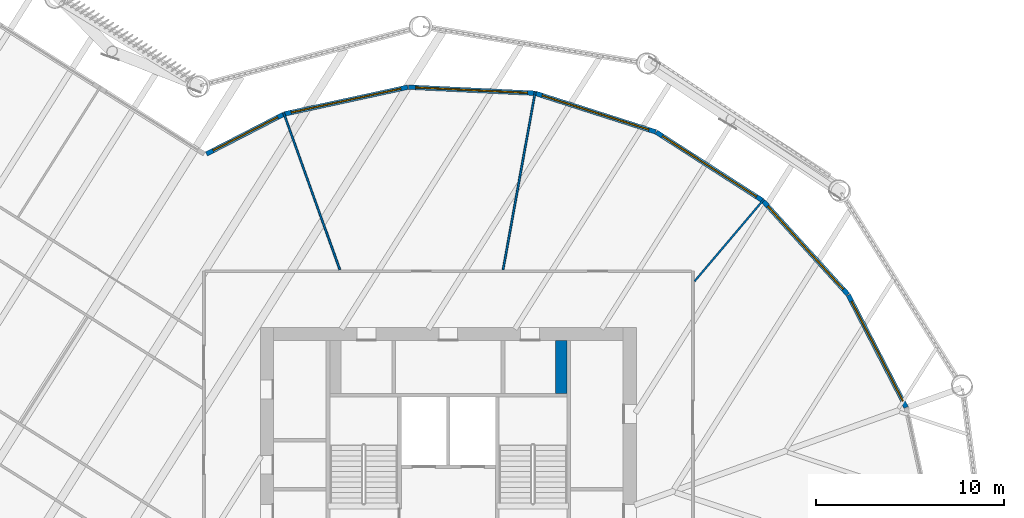
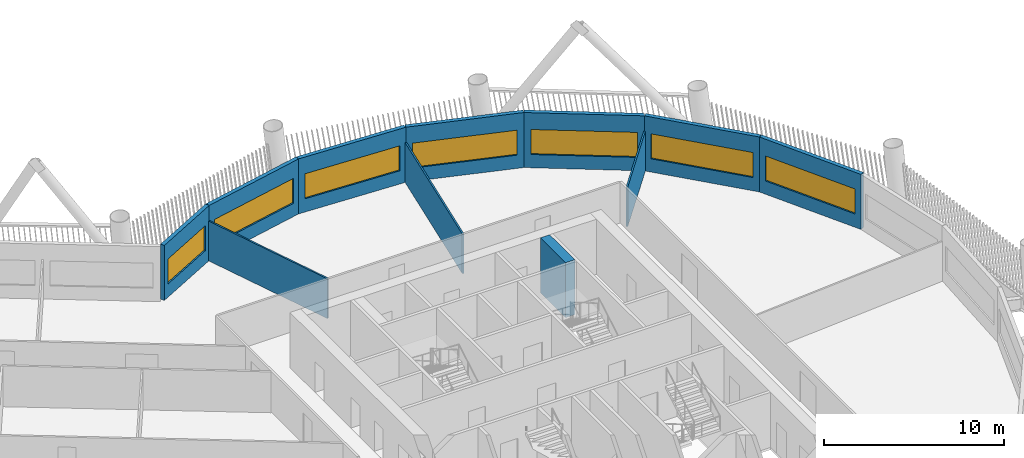
# One storey, part 7 of 22: 11 walls, 7 windows, 7 openings.
"""IFC4 building model written with IfcOpenShell, lengths in metres."""

from ifc_helpers import new_model, si_unit, direction, frame, frame_2d, origin, place, context, subcontext, project, spatial, rectangle, extrude, material, layer, layer_set, type_object, element, fill, save


model = new_model("IFC4")

# Units and contexts
model_context = context("Model", 3, precision=1e-05, world=origin(), true_north=direction((0.0, 1.0)))
body_context = subcontext(model_context, "Body", "Model", "MODEL_VIEW")
ifc_project = project(units=[si_unit("LENGTHUNIT", "METRE"), si_unit("AREAUNIT", "SQUARE_METRE"), si_unit("VOLUMEUNIT", "CUBIC_METRE"), si_unit("PLANEANGLEUNIT", "RADIAN"), si_unit("MASSUNIT", "GRAM", prefix="KILO")], contexts=[model_context])

# Site, building, storey
site_placement = place(None, origin())
site = spatial("IfcSite", under=ifc_project, at=site_placement, CompositionType="ELEMENT")
building_placement = place(site_placement, origin())
building = spatial("IfcBuilding", under=site, at=building_placement, Name="Tarsis Ring Headquarters", CompositionType="ELEMENT")
storey_placement = place(building_placement, frame((0.0, 0.0, 147.60009765625)))
storey = spatial("IfcBuildingStorey", under=building, at=storey_placement, Name="L33", CompositionType="ELEMENT", Elevation=147.60009765625)

# Walls
ifc_material_1 = material(Name="Gypsum board on steel studs", Category="steel")
ifc_layer_1 = layer(ifc_material_1, 0.10009765625)
ifc_layer_set_1 = layer_set([ifc_layer_1], Name="FL partition 100 unrated")
wall_type_1 = type_object("IfcWallType", Name="FL partition 100 unrated", PredefinedType="PARTITIONING", material=ifc_layer_set_1)
wall_1_placement = place(storey_placement, frame((2.90869140625, 16.06884765625, 0.0), z_axis=(0.0, 0.0, 1.0), x_axis=(0.178094615958, 0.984013367677, 0.0)))
element("IfcWall", 1, at=wall_1_placement, inside=storey, type_object=wall_type_1, Name="Partition PW3", PredefinedType="PARTITIONING", context=body_context, shape_type="SweptSolid", body=[
    extrude(rectangle(XDim=9.617919921875, YDim=0.10009765625, at=frame_2d((4.80908203125, 0.0))), origin(), (0.0, 0.0, 1.0), 2.699951171875),
])
wall_2_placement = place(storey_placement, frame((-8.763916015625, 24.423095703125, 0.0), z_axis=(0.0, 0.0, 1.0), x_axis=(0.337732821106, -0.941242020709, 0.0)))
element("IfcWall", 2, at=wall_2_placement, inside=storey, type_object=wall_type_1, Name="Partition PW3", PredefinedType="PARTITIONING", context=body_context, shape_type="SweptSolid", body=[
    extrude(rectangle(XDim=8.869140625, YDim=0.10009765625, at=frame_2d((4.4345703125, 0.0))), origin(), (0.0, 0.0, 1.0), 2.699951171875),
])
wall_3_placement = place(storey_placement, frame((13.090576171875, 15.45751953125, 0.0), z_axis=(0.0, 0.0, 1.0), x_axis=(0.646247903324, 0.763127543369, 0.0)))
element("IfcWall", 3, at=wall_3_placement, inside=storey, type_object=wall_type_1, Name="Partition PW3", PredefinedType="PARTITIONING", context=body_context, shape_type="SweptSolid", body=[
    extrude(rectangle(XDim=5.692138671875, YDim=0.10009765625, at=frame_2d((2.84619140625, 0.0))), origin(), (0.0, 0.0, 1.0), 2.699951171875),
])

# Wall, opening, window
ifc_material_2 = material(Name="Terracotta clad insulated panel wall", Category="masonry")
ifc_layer_2 = layer(ifc_material_2, 0.25)
ifc_layer_set_2 = layer_set([ifc_layer_2], Name="Facade wall terracotta panel 250")
wall_type_2 = type_object("IfcWallType", Name="Facade wall terracotta panel 250", PredefinedType="STANDARD", material=ifc_layer_set_2)
wall_4_placement = place(storey_placement, frame((24.345947265625, 8.753662109375, 0.0), z_axis=(0.0, 0.0, 1.0), x_axis=(-0.457730418722, 0.889091032334, 0.0)))
wall_4 = element("IfcWall", 4, at=wall_4_placement, inside=storey, type_object=wall_type_2, Name="External wall L33-24", PredefinedType="STANDARD", context=body_context, shape_type="SweptSolid", body=[
    extrude(rectangle(XDim=6.721435546875, YDim=0.25, at=frame_2d((3.36083984375, 0.0))), origin(), (0.0, 0.0, 1.0), 3.739990234375),
])
opening_1_placement = place(wall_4_placement, frame((0.3857421875, 0.0, 0.89990234375)))
opening_1 = element("IfcOpeningElement", 5, at=opening_1_placement, cuts=wall_4, Name="Opening WN07", PredefinedType="OPENING", context=body_context, shape_type="SweptSolid", body=[
    extrude(rectangle(XDim=5.949951171875, YDim=1.699951171875, at=frame_2d((2.97509765625, 0.85009765625))), frame((0.0, 0.135009765625, 0.0), z_axis=(0.0, -1.0, 0.0), x_axis=(1.0, 0.0, 0.0)), (0.0, 0.0, 1.0), 0.27001953125),
])
ifc_material_3 = material(Name="Aluminium framed double glazing", Category="aluminium")
window_type_1 = type_object("IfcWindowType", Name="Facade window 5950 x 1700", PartitioningType="SINGLE_PANEL", PredefinedType="WINDOW", material=ifc_material_3)
window_1_placement = place(opening_1_placement, origin())
window_1 = element("IfcWindow", 6, at=window_1_placement, inside=storey, type_object=window_type_1, Name="Window L33-24.1", OverallHeight=1.699951171875, OverallWidth=5.949951171875, PartitioningType="SINGLE_PANEL", PredefinedType="WINDOW", context=body_context, shape_type="SweptSolid", body=[
    extrude(rectangle(XDim=5.949951171875, YDim=1.699951171875, at=frame_2d((2.97509765625, 0.85009765625))), frame((0.0, 0.030029296875, 0.0), z_axis=(0.0, -1.0, 0.0), x_axis=(1.0, 0.0, 0.0)), (0.0, 0.0, 1.0), 0.06005859375),
])
fill(opening_1, window_1)

wall_5_placement = place(storey_placement, frame((21.250732421875, 14.756591796875, 0.0), z_axis=(0.0, 0.0, 1.0), x_axis=(-0.672253253678, 0.740321256563, 0.0)))
wall_5 = element("IfcWall", 7, at=wall_5_placement, inside=storey, type_object=wall_type_2, Name="External wall L33-25", PredefinedType="STANDARD", context=body_context, shape_type="SweptSolid", body=[
    extrude(rectangle(XDim=6.721435546875, YDim=0.25, at=frame_2d((3.36083984375, 0.0))), origin(), (0.0, 0.0, 1.0), 3.739990234375),
])
opening_2_placement = place(wall_5_placement, frame((0.3857421875, 0.0, 0.89990234375)))
opening_2 = element("IfcOpeningElement", 8, at=opening_2_placement, cuts=wall_5, Name="Opening WN07", PredefinedType="OPENING", context=body_context, shape_type="SweptSolid", body=[
    extrude(rectangle(XDim=5.949951171875, YDim=1.699951171875, at=frame_2d((2.97509765625, 0.85009765625))), frame((0.0, 0.135009765625, 0.0), z_axis=(0.0, -1.0, 0.0), x_axis=(1.0, 0.0, 0.0)), (0.0, 0.0, 1.0), 0.27001953125),
])
window_2_placement = place(opening_2_placement, origin())
window_2 = element("IfcWindow", 9, at=window_2_placement, inside=storey, type_object=window_type_1, Name="Window L33-25.1", OverallHeight=1.699951171875, OverallWidth=5.949951171875, PartitioningType="SINGLE_PANEL", PredefinedType="WINDOW", context=body_context, shape_type="SweptSolid", body=[
    extrude(rectangle(XDim=5.949951171875, YDim=1.699951171875, at=frame_2d((2.97509765625, 0.85009765625))), frame((0.0, 0.030029296875, 0.0), z_axis=(0.0, -1.0, 0.0), x_axis=(1.0, 0.0, 0.0)), (0.0, 0.0, 1.0), 0.06005859375),
])
fill(opening_2, window_2)

wall_6_placement = place(storey_placement, frame((16.707275390625, 19.75390625, 0.0), z_axis=(0.0, 0.0, 1.0), x_axis=(-0.840954169733, 0.541106352216, 0.0)))
wall_6 = element("IfcWall", 10, at=wall_6_placement, inside=storey, type_object=wall_type_2, Name="External wall L33-26", PredefinedType="STANDARD", context=body_context, shape_type="SweptSolid", body=[
    extrude(rectangle(XDim=6.721435546875, YDim=0.25, at=frame_2d((3.36083984375, 0.0))), origin(), (0.0, 0.0, 1.0), 3.739990234375),
])
opening_3_placement = place(wall_6_placement, frame((0.3857421875, 0.0, 0.89990234375)))
opening_3 = element("IfcOpeningElement", 11, at=opening_3_placement, cuts=wall_6, Name="Opening WN07", PredefinedType="OPENING", context=body_context, shape_type="SweptSolid", body=[
    extrude(rectangle(XDim=5.949951171875, YDim=1.699951171875, at=frame_2d((2.97509765625, 0.85009765625))), frame((0.0, 0.135009765625, 0.0), z_axis=(0.0, -1.0, 0.0), x_axis=(1.0, 0.0, 0.0)), (0.0, 0.0, 1.0), 0.27001953125),
])
window_3_placement = place(opening_3_placement, origin())
window_3 = element("IfcWindow", 12, at=window_3_placement, inside=storey, type_object=window_type_1, Name="Window L33-26.1", OverallHeight=1.699951171875, OverallWidth=5.949951171875, PartitioningType="SINGLE_PANEL", PredefinedType="WINDOW", context=body_context, shape_type="SweptSolid", body=[
    extrude(rectangle(XDim=5.949951171875, YDim=1.699951171875, at=frame_2d((2.97509765625, 0.85009765625))), frame((0.0, 0.030029296875, 0.0), z_axis=(0.0, -1.0, 0.0), x_axis=(1.0, 0.0, 0.0)), (0.0, 0.0, 1.0), 0.06005859375),
])
fill(opening_3, window_3)

wall_7_placement = place(storey_placement, frame((11.025390625, 23.40478515625, 0.0), z_axis=(0.0, 0.0, 1.0), x_axis=(-0.952340606517, 0.305036668581, 0.0)))
wall_7 = element("IfcWall", 13, at=wall_7_placement, inside=storey, type_object=wall_type_2, Name="External wall L33-27", PredefinedType="STANDARD", context=body_context, shape_type="SweptSolid", body=[
    extrude(rectangle(XDim=6.721435546875, YDim=0.25, at=frame_2d((3.36083984375, 0.0))), origin(), (0.0, 0.0, 1.0), 3.739990234375),
])
opening_4_placement = place(wall_7_placement, frame((0.3857421875, 0.0, 0.89990234375)))
opening_4 = element("IfcOpeningElement", 14, at=opening_4_placement, cuts=wall_7, Name="Opening WN07", PredefinedType="OPENING", context=body_context, shape_type="SweptSolid", body=[
    extrude(rectangle(XDim=5.949951171875, YDim=1.699951171875, at=frame_2d((2.97509765625, 0.85009765625))), frame((0.0, 0.135009765625, 0.0), z_axis=(0.0, -1.0, 0.0), x_axis=(1.0, 0.0, 0.0)), (0.0, 0.0, 1.0), 0.27001953125),
])
window_4_placement = place(opening_4_placement, origin())
window_4 = element("IfcWindow", 15, at=window_4_placement, inside=storey, type_object=window_type_1, Name="Window L33-27.1", OverallHeight=1.699951171875, OverallWidth=5.949951171875, PartitioningType="SINGLE_PANEL", PredefinedType="WINDOW", context=body_context, shape_type="SweptSolid", body=[
    extrude(rectangle(XDim=5.949951171875, YDim=1.699951171875, at=frame_2d((2.97509765625, 0.85009765625))), frame((0.0, 0.030029296875, 0.0), z_axis=(0.0, -1.0, 0.0), x_axis=(1.0, 0.0, 0.0)), (0.0, 0.0, 1.0), 0.06005859375),
])
fill(opening_4, window_4)

wall_8_placement = place(storey_placement, frame((4.592041015625, 25.4609375, 0.0), z_axis=(0.0, 0.0, 1.0), x_axis=(-0.998839442393, 0.048163973258, 0.0)))
wall_8 = element("IfcWall", 16, at=wall_8_placement, inside=storey, type_object=wall_type_2, Name="External wall L33-28", PredefinedType="STANDARD", context=body_context, shape_type="SweptSolid", body=[
    extrude(rectangle(XDim=6.721435546875, YDim=0.25, at=frame_2d((3.36083984375, 0.0))), origin(), (0.0, 0.0, 1.0), 3.739990234375),
])
opening_5_placement = place(wall_8_placement, frame((0.3857421875, 0.0, 0.89990234375)))
opening_5 = element("IfcOpeningElement", 17, at=opening_5_placement, cuts=wall_8, Name="Opening WN07", PredefinedType="OPENING", context=body_context, shape_type="SweptSolid", body=[
    extrude(rectangle(XDim=5.949951171875, YDim=1.699951171875, at=frame_2d((2.97509765625, 0.85009765625))), frame((0.0, 0.135009765625, 0.0), z_axis=(0.0, -1.0, 0.0), x_axis=(1.0, 0.0, 0.0)), (0.0, 0.0, 1.0), 0.27001953125),
])
window_5_placement = place(opening_5_placement, origin())
window_5 = element("IfcWindow", 18, at=window_5_placement, inside=storey, type_object=window_type_1, Name="Window L33-28.1", OverallHeight=1.699951171875, OverallWidth=5.949951171875, PartitioningType="SINGLE_PANEL", PredefinedType="WINDOW", context=body_context, shape_type="SweptSolid", body=[
    extrude(rectangle(XDim=5.949951171875, YDim=1.699951171875, at=frame_2d((2.97509765625, 0.85009765625))), frame((0.0, 0.030029296875, 0.0), z_axis=(0.0, -1.0, 0.0), x_axis=(1.0, 0.0, 0.0)), (0.0, 0.0, 1.0), 0.06005859375),
])
fill(opening_5, window_5)

wall_9_placement = place(storey_placement, frame((-2.154052734375, 25.781982421875, 0.0), z_axis=(0.0, 0.0, 1.0), x_axis=(-0.977267732865, -0.212008910902, 0.0)))
wall_9 = element("IfcWall", 19, at=wall_9_placement, inside=storey, type_object=wall_type_2, Name="External wall L33-29", PredefinedType="STANDARD", context=body_context, shape_type="SweptSolid", body=[
    extrude(rectangle(XDim=6.7216796875, YDim=0.25, at=frame_2d((3.36083984375, 0.0))), origin(), (0.0, 0.0, 1.0), 3.739990234375),
])
opening_6_placement = place(wall_9_placement, frame((0.3857421875, 0.0, 0.89990234375)))
opening_6 = element("IfcOpeningElement", 20, at=opening_6_placement, cuts=wall_9, Name="Opening WN07", PredefinedType="OPENING", context=body_context, shape_type="SweptSolid", body=[
    extrude(rectangle(XDim=5.949951171875, YDim=1.699951171875, at=frame_2d((2.97509765625, 0.85009765625))), frame((0.0, 0.135009765625, 0.0), z_axis=(0.0, -1.0, 0.0), x_axis=(1.0, 0.0, 0.0)), (0.0, 0.0, 1.0), 0.27001953125),
])
window_6_placement = place(opening_6_placement, origin())
window_6 = element("IfcWindow", 21, at=window_6_placement, inside=storey, type_object=window_type_1, Name="Window L33-29.1", OverallHeight=1.699951171875, OverallWidth=5.949951171875, PartitioningType="SINGLE_PANEL", PredefinedType="WINDOW", context=body_context, shape_type="SweptSolid", body=[
    extrude(rectangle(XDim=5.949951171875, YDim=1.699951171875, at=frame_2d((2.97509765625, 0.85009765625))), frame((0.0, 0.030029296875, 0.0), z_axis=(0.0, -1.0, 0.0), x_axis=(1.0, 0.0, 0.0)), (0.0, 0.0, 1.0), 0.06005859375),
])
fill(opening_6, window_6)

wall_10_placement = place(storey_placement, frame((-8.753662109375, 24.345947265625, 0.0), z_axis=(0.0, 0.0, 1.0), x_axis=(-0.889088667879, -0.457735011387, 0.0)))
wall_10 = element("IfcWall", 22, at=wall_10_placement, inside=storey, type_object=wall_type_2, Name="External wall L33-30", PredefinedType="STANDARD", context=body_context, shape_type="SweptSolid", body=[
    extrude(rectangle(XDim=4.617919921875, YDim=0.25, at=frame_2d((2.30908203125, 0.0))), origin(), (0.0, 0.0, 1.0), 3.739990234375),
])
opening_7_placement = place(wall_10_placement, frame((0.367431640625, 0.0, 0.89990234375)))
opening_7 = element("IfcOpeningElement", 23, at=opening_7_placement, cuts=wall_10, Name="Opening WN02", PredefinedType="OPENING", context=body_context, shape_type="SweptSolid", body=[
    extrude(rectangle(XDim=3.85009765625, YDim=1.699951171875, at=frame_2d((1.925048828125, 0.85009765625))), frame((0.0, 0.135009765625, 0.0), z_axis=(0.0, -1.0, 0.0), x_axis=(1.0, 0.0, 0.0)), (0.0, 0.0, 1.0), 0.27001953125),
])
window_type_2 = type_object("IfcWindowType", Name="Facade window 3850 x 1700", PartitioningType="SINGLE_PANEL", PredefinedType="WINDOW", material=ifc_material_3)
window_7_placement = place(opening_7_placement, origin())
window_7 = element("IfcWindow", 24, at=window_7_placement, inside=storey, type_object=window_type_2, Name="Window L33-30.1", OverallHeight=1.699951171875, OverallWidth=3.85009765625, PartitioningType="SINGLE_PANEL", PredefinedType="WINDOW", context=body_context, shape_type="SweptSolid", body=[
    extrude(rectangle(XDim=3.85009765625, YDim=1.699951171875, at=frame_2d((1.925048828125, 0.85009765625))), frame((0.0, 0.030029296875, 0.0), z_axis=(0.0, -1.0, 0.0), x_axis=(1.0, 0.0, 0.0)), (0.0, 0.0, 1.0), 0.06005859375),
])
fill(opening_7, window_7)

# Wall
ifc_material_4 = material(Name="Concrete C32/40", Category="concrete")
ifc_layer_3 = layer(ifc_material_4, 0.60009765625)
ifc_layer_set_3 = layer_set([ifc_layer_3], Name="Shaft end wall 600 C32/40")
wall_type_3 = type_object("IfcWallType", Name="Shaft end wall 600 C32/40", PredefinedType="SOLIDWALL", material=ifc_layer_set_3)
wall_11_placement = place(storey_placement, frame((6.0, 9.5, 0.0), z_axis=(0.0, 0.0, 1.0), x_axis=(0.0, 1.0, 0.0)))
element("IfcWall", 25, at=wall_11_placement, inside=storey, type_object=wall_type_3, Name="Core shaft wall NNE2", PredefinedType="SOLIDWALL", context=body_context, shape_type="SweptSolid", body=[
    extrude(rectangle(XDim=2.800048828125, YDim=0.60009765625, at=frame_2d((1.39990234375, 0.0))), origin(), (0.0, 0.0, 1.0), 3.739990234375),
])

save(model, "model.ifc")
